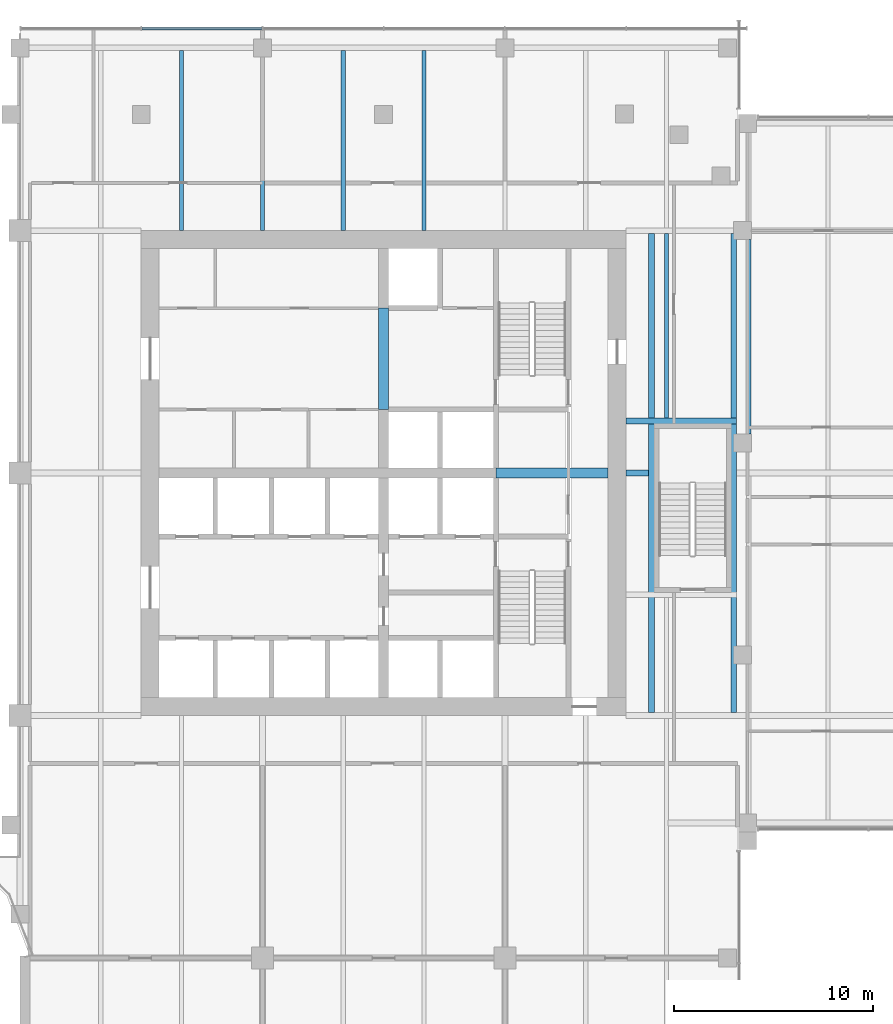
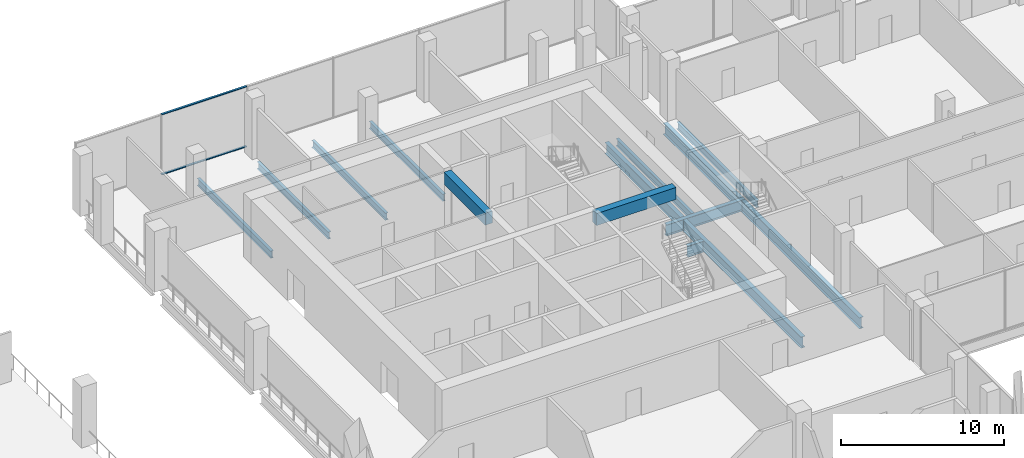
# One storey, part 5 of 33: 12 beams, 2 members, 1 element without a shape of its own.
"""IFC4 building model written with IfcOpenShell, lengths in metres."""

from ifc_helpers import new_model, si_unit, direction, frame, origin, origin_2d, place, context, subcontext, project, spatial, rectangle, i_section, extrude, material, material_profile, profile_set, type_object, element, aggregate, save


model = new_model("IFC4")

# Units and contexts
model_context = context("Model", 3, precision=1e-05, world=origin(), true_north=direction((0.0, 1.0)))
body_context = subcontext(model_context, "Body", "Model", "MODEL_VIEW")
ifc_project = project(units=[si_unit("LENGTHUNIT", "METRE"), si_unit("AREAUNIT", "SQUARE_METRE"), si_unit("VOLUMEUNIT", "CUBIC_METRE"), si_unit("PLANEANGLEUNIT", "RADIAN"), si_unit("MASSUNIT", "GRAM", prefix="KILO")], contexts=[model_context])

# Site, building, storey
site_placement = place(None, origin())
site = spatial("IfcSite", under=ifc_project, at=site_placement, CompositionType="ELEMENT")
building_placement = place(site_placement, origin())
building = spatial("IfcBuilding", under=site, at=building_placement, Name="Tessera Gate Towers", CompositionType="ELEMENT")
storey_placement = place(building_placement, frame((0.0, 0.0, 7.199951171875)))
storey = spatial("IfcBuildingStorey", under=building, at=storey_placement, Name="L01", CompositionType="ELEMENT", Elevation=7.199951171875)

# Beams
ifc_material_1 = material(Name="Concrete C70/85", Category="concrete")
ifc_material_profile_1 = material_profile(ifc_material_1, rectangle(XDim=0.5, YDim=0.89990234375, at=origin_2d()), Name="RC 500x900")
ifc_profile_set_1 = profile_set([ifc_material_profile_1], Name="Concrete C70/85")
beam_type_1 = type_object("IfcBeamType", Name="COUPLING BEAM 500x900 C70/85", PredefinedType="BEAM", material=ifc_profile_set_1)
beam_1_placement = place(storey_placement, frame((48.35009765625, 36.60009765625, 4.10009765625), z_axis=(1.0, 0.0, 0.0), x_axis=(0.0, 1.0, 0.0)))
element("IfcBeam", 1, at=beam_1_placement, inside=storey, type_object=beam_type_1, Name="L01 coupling beam 1", PredefinedType="BEAM", context=body_context, shape_type="SweptSolid", body=[
    extrude(rectangle(XDim=0.5, YDim=0.89990234375, at=origin_2d()), origin(), (0.0, 0.0, 1.0), 5.64990234375),
])
beam_2_placement = place(storey_placement, frame((42.699951171875, 39.800048828125, 4.10009765625), z_axis=(0.0, 1.0, 0.0), x_axis=(-1.0, 0.0, 0.0)))
element("IfcBeam", 2, at=beam_2_placement, inside=storey, type_object=beam_type_1, Name="L01 coupling beam 2", PredefinedType="BEAM", context=body_context, shape_type="SweptSolid", body=[
    extrude(rectangle(XDim=0.5, YDim=0.89990234375, at=origin_2d()), origin(), (0.0, 0.0, 1.0), 5.099853515625),
])
ifc_material_2 = material(Name="Steel 350W", Category="steel")
ifc_material_profile_2 = material_profile(ifc_material_2, i_section(OverallWidth=0.2919921875, OverallDepth=0.8349609375, WebThickness=0.013916015625, FlangeThickness=0.018798828125, at=origin_2d()), Name="W840x176")
ifc_profile_set_2 = profile_set([ifc_material_profile_2], Name="Steel 350W")
beam_type_2 = type_object("IfcBeamType", Name="FLOOR GIRDER W840x176", PredefinedType="BEAM", material=ifc_profile_set_2)
beam_3_placement = place(storey_placement, frame((54.89892578125, 36.60009765625, -0.66748046875), z_axis=(1.0, 0.0, 0.0), x_axis=(0.0, 1.0, 0.0)))
element("IfcBeam", 3, at=beam_3_placement, inside=storey, type_object=beam_type_2, Name="PD-GD-L01-214", PredefinedType="BEAM", context=body_context, shape_type="SweptSolid", body=[
    extrude(i_section(OverallWidth=0.2919921875, OverallDepth=0.8349609375, WebThickness=0.013916015625, FlangeThickness=0.018798828125, at=origin_2d()), origin(), (0.0, 0.0, 1.0), 1.135009765625),
])
beam_4_placement = place(storey_placement, frame((54.89892578125, 39.219970703125, -0.66748046875), z_axis=(1.0, 0.0, 0.0), x_axis=(0.0, 1.0, 0.0)))
element("IfcBeam", 4, at=beam_4_placement, inside=storey, type_object=beam_type_2, Name="PD-GD-L01-265", PredefinedType="BEAM", context=body_context, shape_type="SweptSolid", body=[
    extrude(i_section(OverallWidth=0.2919921875, OverallDepth=0.8349609375, WebThickness=0.013916015625, FlangeThickness=0.018798828125, at=origin_2d()), origin(), (0.0, 0.0, 1.0), 5.567138671875),
])
for number, where, z_axis, x_axis, name in (
    (5, (56.179931640625, 24.5458984375, -0.66748046875), (0.0, 1.0, 0.0), (-1.0, 0.0, 0.0), "PD-GD-L01-268"),
    (6, (60.320068359375, 24.5458984375, -0.66748046875), (0.0, 1.0, 0.0), (-1.0, 0.0, 0.0), "PD-GD-L01-269"),
):
    element("IfcBeam", number, at=place(storey_placement, frame(where, z_axis=z_axis, x_axis=x_axis)), inside=storey, type_object=beam_type_2, Name=name, PredefinedType="BEAM", context=body_context, shape_type="SweptSolid", body=[
        extrude(i_section(OverallWidth=0.2919921875, OverallDepth=0.8349609375, WebThickness=0.013916015625, FlangeThickness=0.018798828125, at=origin_2d()), origin(), (0.0, 0.0, 1.0), 24.108154296875),
    ])
ifc_material_3 = material(Name="Steel 350W", Category="steel")
ifc_material_profile_3 = material_profile(ifc_material_3, i_section(OverallWidth=0.208984375, OverallDepth=0.528076171875, WebThickness=0.009521484375, FlangeThickness=0.01318359375, at=origin_2d()), Name="W530x82")
ifc_profile_set_3 = profile_set([ifc_material_profile_3], Name="Steel 350W")
beam_type_3 = type_object("IfcBeamType", Name="FLOOR SECONDARY W530x82", PredefinedType="BEAM", material=ifc_profile_set_3)
beam_5_placement = place(storey_placement, frame((32.533203125, 48.800048828125, -0.513916015625), z_axis=(0.0, 1.0, 0.0), x_axis=(-1.0, 0.0, 0.0)))
element("IfcBeam", 7, at=beam_5_placement, inside=storey, type_object=beam_type_3, Name="PD-BM-L01-278", PredefinedType="BEAM", context=body_context, shape_type="SweptSolid", body=[
    extrude(i_section(OverallWidth=0.208984375, OverallDepth=0.528076171875, WebThickness=0.009521484375, FlangeThickness=0.01318359375, at=origin_2d()), origin(), (0.0, 0.0, 1.0), 9.053955078125),
])
beam_6_placement = place(storey_placement, frame((36.60009765625, 48.800048828125, -0.513916015625), z_axis=(0.0, 1.0, 0.0), x_axis=(-1.0, 0.0, 0.0)))
element("IfcBeam", 8, at=beam_6_placement, inside=storey, type_object=beam_type_3, Name="PD-BM-L01-279", PredefinedType="BEAM", context=body_context, shape_type="SweptSolid", body=[
    extrude(i_section(OverallWidth=0.208984375, OverallDepth=0.528076171875, WebThickness=0.009521484375, FlangeThickness=0.01318359375, at=origin_2d()), origin(), (0.0, 0.0, 1.0), 8.75),
])
for number, where, z_axis, x_axis, name in (
    (9, (40.666748046875, 48.800048828125, -0.513916015625), (0.0, 1.0, 0.0), (-1.0, 0.0, 0.0), "PD-BM-L01-282"),
    (10, (44.7333984375, 48.800048828125, -0.513916015625), (0.0, 1.0, 0.0), (-1.0, 0.0, 0.0), "PD-BM-L01-285"),
):
    element("IfcBeam", number, at=place(storey_placement, frame(where, z_axis=z_axis, x_axis=x_axis)), inside=storey, type_object=beam_type_3, Name=name, PredefinedType="BEAM", context=body_context, shape_type="SweptSolid", body=[
        extrude(i_section(OverallWidth=0.208984375, OverallDepth=0.528076171875, WebThickness=0.009521484375, FlangeThickness=0.01318359375, at=origin_2d()), origin(), (0.0, 0.0, 1.0), 9.053955078125),
    ])
beam_7_placement = place(storey_placement, frame((56.933349609375, 39.365966796875, -0.513916015625), z_axis=(0.0, 1.0, 0.0), x_axis=(-1.0, 0.0, 0.0)))
element("IfcBeam", 11, at=beam_7_placement, inside=storey, type_object=beam_type_3, Name="PD-BM-L01-294", PredefinedType="BEAM", context=body_context, shape_type="SweptSolid", body=[
    extrude(i_section(OverallWidth=0.208984375, OverallDepth=0.528076171875, WebThickness=0.009521484375, FlangeThickness=0.01318359375, at=origin_2d()), origin(), (0.0, 0.0, 1.0), 9.2880859375),
])
beam_8_placement = place(storey_placement, frame((61.070556640625, 38.574951171875, -0.513916015625), z_axis=(0.0, 1.0, 0.0), x_axis=(-1.0, 0.0, 0.0)))
element("IfcBeam", 12, at=beam_8_placement, inside=storey, type_object=beam_type_3, Name="PD-BM-L01-299", PredefinedType="BEAM", context=body_context, shape_type="SweptSolid", body=[
    extrude(i_section(OverallWidth=0.208984375, OverallDepth=0.528076171875, WebThickness=0.009521484375, FlangeThickness=0.01318359375, at=origin_2d()), origin(), (0.0, 0.0, 1.0), 9.775146484375),
])

# Curtain wall, members
ifc_material_4 = material(Name="Aluminium frame", Category="aluminium")
curtain_wall_type = type_object("IfcCurtainWallType", Name="CW-S1 podium storefront", PredefinedType="NOTDEFINED", material=ifc_material_4)
curtain_wall_placement = place(storey_placement, origin())
curtain_wall = element("IfcCurtainWall", 13, at=curtain_wall_placement, inside=storey, type_object=curtain_wall_type, Name="Curtain wall podium storefront 0209", PredefinedType="NOTDEFINED")
ifc_material_5 = material(Name="Aluminium frame", Category="aluminium")
ifc_material_profile_4 = material_profile(ifc_material_5, rectangle(XDim=0.14990234375, YDim=0.06005859375, at=origin_2d()), Name="AL 60x150")
ifc_profile_set_4 = profile_set([ifc_material_profile_4], Name="Aluminium frame")
member_type = type_object("IfcMemberType", Name="TR-S1 transom 60x150", PredefinedType="USERDEFINED", material=ifc_profile_set_4)
member_1_placement = place(storey_placement, frame((36.570068359375, 58.97509765625, 0.030029296875), z_axis=(-1.0, 0.0, 0.0), x_axis=(0.0, -1.0, 0.0)))
member_1 = element("IfcMember", 14, at=member_1_placement, type_object=member_type, Name="PD-CW1-0209 transom 5.1", ObjectType="TRANSOM", PredefinedType="USERDEFINED", context=body_context, shape_type="SweptSolid", body=[
    extrude(rectangle(XDim=0.14990234375, YDim=0.06005859375, at=origin_2d()), origin(), (0.0, 0.0, 1.0), 6.0400390625),
])
member_2_placement = place(storey_placement, frame((36.570068359375, 58.97509765625, 4.52001953125), z_axis=(-1.0, 0.0, 0.0), x_axis=(0.0, -1.0, 0.0)))
member_2 = element("IfcMember", 15, at=member_2_placement, type_object=member_type, Name="PD-CW1-0209 transom 5.2", ObjectType="TRANSOM", PredefinedType="USERDEFINED", context=body_context, shape_type="SweptSolid", body=[
    extrude(rectangle(XDim=0.14990234375, YDim=0.06005859375, at=origin_2d()), origin(), (0.0, 0.0, 1.0), 6.0400390625),
])
aggregate(curtain_wall, [member_1, member_2])

save(model, "model.ifc")
